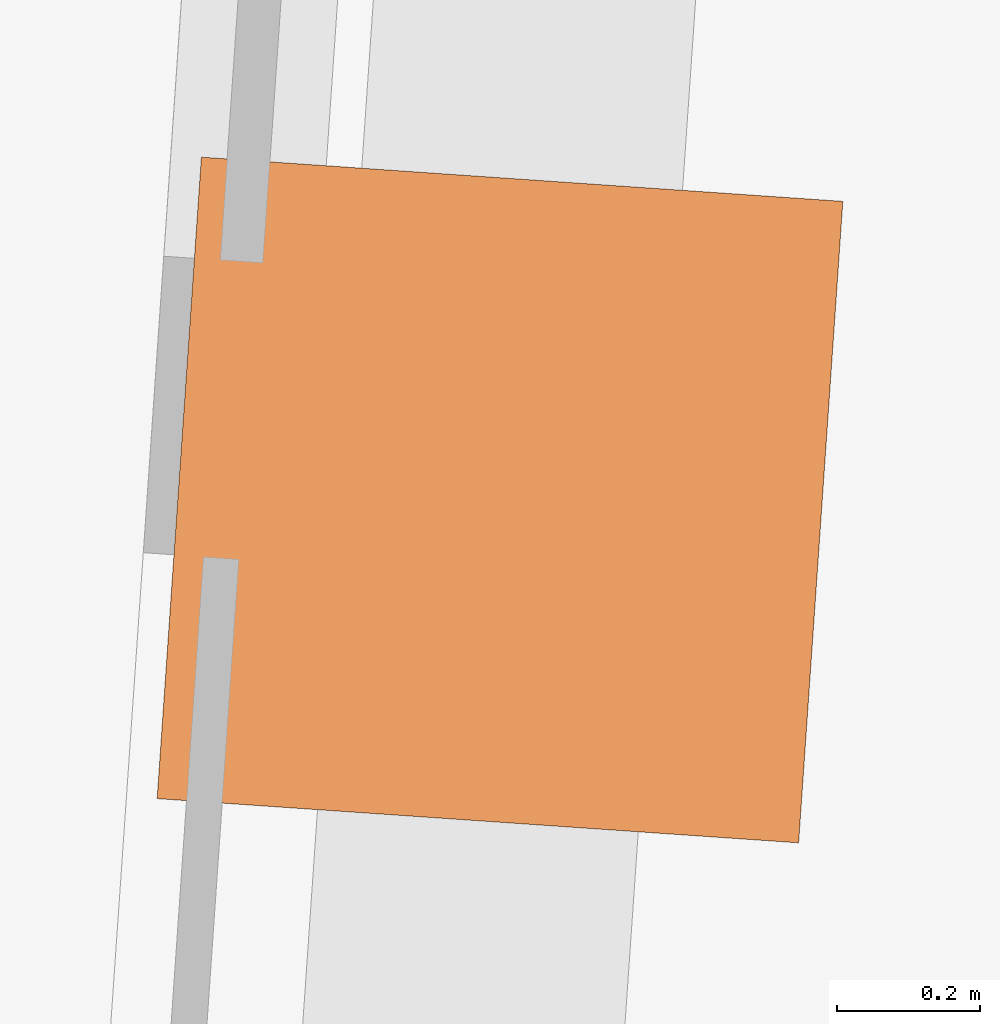
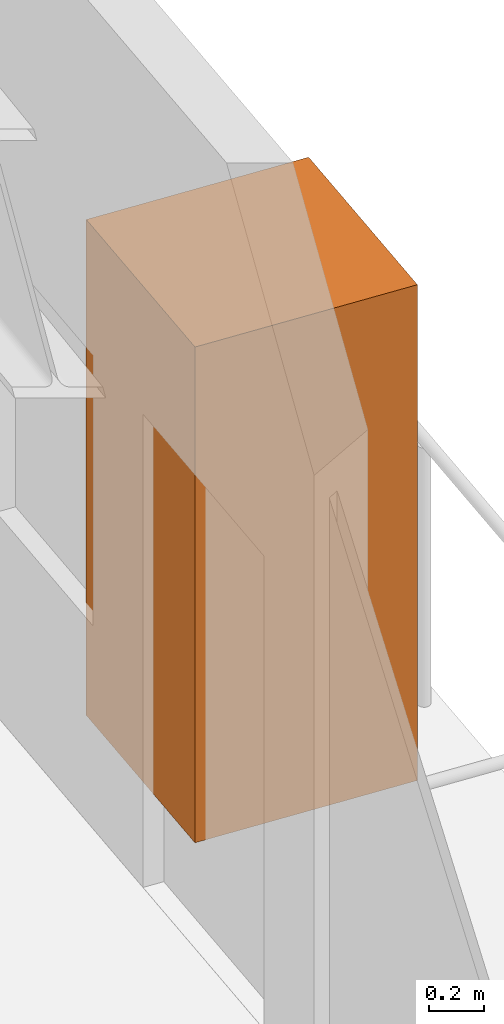
# One storey, part 10 of 10: 1 geographic element.
"""IFC4 building model written with IfcOpenShell, lengths in metres."""

import ifcopenshell
import ifcopenshell.guid

model = None  # the IFC model being written
_history = None  # IfcOwnerHistory: only IFC2X3 demands one
_inside = {}  # id of a spatial element -> (the spatial element, [elements in it])
_under = {}  # id of a project, library or spatial element -> (it, [spatial elements below it])
_declared = {}  # id of a project -> (the project, [libraries it declares])
_typed = {}  # id of a type object -> (the type object, [elements of that type])
_made_of = {}  # id of a material, layer set ... -> (it, [elements and type objects made of it])


def new_model(schema):
    """Start an empty IFC model of exactly this schema.

    Asked for "IFC4X3", IfcOpenShell would pick the latest addendum, in which some entities
    have other attributes; the version numbers below select the first issue.
    IFC2X3 requires an IfcOwnerHistory on every rooted entity: one is made here for all.
    """
    global model, _history
    if schema == "IFC4X3":
        model = ifcopenshell.file(schema_version=(4, 3, 0, 0))
    else:
        model = ifcopenshell.file(schema=schema)
    _inside.clear()
    _under.clear()
    _declared.clear()
    _typed.clear()
    _made_of.clear()
    _history = None
    if model.schema == "IFC2X3":
        org = make("IfcOrganization", Name="unknown")
        user = make(
            "IfcPersonAndOrganization",
            ThePerson=make("IfcPerson", FamilyName="unknown"),
            TheOrganization=org,
        )
        app = make(
            "IfcApplication",
            ApplicationDeveloper=org,
            Version="unknown",
            ApplicationFullName="unknown",
            ApplicationIdentifier="unknown",
        )
        _history = make(
            "IfcOwnerHistory",
            OwningUser=user,
            OwningApplication=app,
            ChangeAction="ADDED",
            CreationDate=0,
        )
    return model


def make(cls, **values):
    """One entity of the class cls with the attributes given. An attribute that is None is left unset."""
    return model.create_entity(
        cls, **{name: value for name, value in values.items() if value is not None}
    )


def rooted(cls, **values):
    """An entity with a GlobalId (a new one), such as an element, a storey or a relation."""
    return make(cls, GlobalId=ifcopenshell.guid.new(), OwnerHistory=_history, **values)


def si_unit(unit_type, name, prefix=None):
    """IfcSIUnit, for example si_unit("LENGTHUNIT", "METRE", prefix="MILLI")."""
    return make("IfcSIUnit", UnitType=unit_type, Prefix=prefix, Name=name)


def assignment(units):
    """IfcUnitAssignment: the units of a project."""
    return None if units is None else make("IfcUnitAssignment", Units=units)


def point(xyz):
    """IfcCartesianPoint."""
    return None if xyz is None else make("IfcCartesianPoint", Coordinates=xyz)


def direction(xyz):
    """IfcDirection."""
    return None if xyz is None else make("IfcDirection", DirectionRatios=xyz)


def frame(location, z_axis=None, x_axis=None):
    """IfcAxis2Placement3D, a coordinate frame: its origin and axes. An axis left out is left unset."""
    return make(
        "IfcAxis2Placement3D",
        Location=point(location),
        Axis=direction(z_axis),
        RefDirection=direction(x_axis),
    )


def frame_2d(location, x_axis=None):
    """IfcAxis2Placement2D, a coordinate frame in the plane: its origin and x axis."""
    return make(
        "IfcAxis2Placement2D", Location=point(location), RefDirection=direction(x_axis)
    )


def origin():
    """The frame at (0, 0, 0) with its axes left unset."""
    return frame((0.0, 0.0, 0.0))


def origin_2d():
    """The frame at (0, 0) in the plane with its x axis left unset."""
    return frame_2d((0.0, 0.0))


def place(relative_to, where):
    """IfcLocalPlacement: puts the frame where relative to a parent placement (None: the world)."""
    return make(
        "IfcLocalPlacement", PlacementRelTo=relative_to, RelativePlacement=where
    )


def context(
    kind, dimensions, precision=None, world=None, true_north=None, identifier=None
):
    """IfcGeometricRepresentationContext, for example the 3D "Model" context."""
    return make(
        "IfcGeometricRepresentationContext",
        ContextIdentifier=identifier,
        ContextType=kind,
        CoordinateSpaceDimension=dimensions,
        Precision=precision,
        WorldCoordinateSystem=world,
        TrueNorth=true_north,
    )


def subcontext(parent, identifier, kind, view, scale=None):
    """IfcGeometricRepresentationSubContext, for example "Body" below "Model"."""
    return make(
        "IfcGeometricRepresentationSubContext",
        ContextIdentifier=identifier,
        ContextType=kind,
        ParentContext=parent,
        TargetScale=scale,
        TargetView=view,
    )


def project(units=None, contexts=None):
    """IfcProject with its units and contexts."""
    return rooted(
        "IfcProject",
        Name="project",
        RepresentationContexts=contexts,
        UnitsInContext=assignment(units),
    )


def spatial(cls, under=None, at=None, **own):
    """A site, building, storey or space (cls), placed at a placement, below another one or the project."""
    s = rooted(cls, ObjectPlacement=at, **own)
    if under is not None:
        _under.setdefault(under.id(), (under, []))[1].append(s)
    return s


def profile(cls, at=None, kind="AREA", **sizes):
    """A parametric profile (cls). Its sizes go by their IFC names, for example OverallWidth=200.0."""
    return make(cls, ProfileType=kind, Position=at, **sizes)


def rectangle(**sizes):
    """IfcRectangleProfileDef."""
    return profile("IfcRectangleProfileDef", **sizes)


def extrude(swept, where, along, depth):
    """IfcExtrudedAreaSolid: the profile swept, set in the frame where, extruded along a direction by depth."""
    return make(
        "IfcExtrudedAreaSolid",
        SweptArea=swept,
        Position=where,
        ExtrudedDirection=direction(along),
        Depth=depth,
    )


def shape(context_of_items, identifier, shape_type, items):
    """IfcShapeRepresentation: the items that make up one representation, for example the "Body"."""
    return make(
        "IfcShapeRepresentation",
        ContextOfItems=context_of_items,
        RepresentationIdentifier=identifier,
        RepresentationType=shape_type,
        Items=items,
    )


def material(Name=None, Category=None):
    """IfcMaterial."""
    return make("IfcMaterial", Name=Name, Category=Category)


def made_of(thing, what):
    """Note that an element or type object is made of a material, layer set ...; save() writes the relation."""
    if what is not None:
        _made_of.setdefault(what.id(), (what, []))[1].append(thing)
    return thing


def type_object(cls, material=None, **own):
    """A type object (cls), such as IfcWallType, which elements share."""
    return made_of(rooted(cls, **own), material)


def element(
    cls,
    number,
    at=None,
    inside=None,
    cuts=None,
    type_object=None,
    material=None,
    context=None,
    identifier="Body",
    shape_type=None,
    held_by="IfcProductDefinitionShape",
    body=None,
    shapes=None,
    **own,
):
    """One element of the class cls, such as IfcWall. Its Tag is "e" and its number.

    at: its placement. inside: the storey or other place that contains it. cuts: it is an
    opening in that element (IfcRelVoidsElement). A single representation is given by context,
    identifier, shape_type and body (its items); several are given by shapes. held_by: the class
    of the entity that holds the representations. save() writes the other relations.
    """
    e = rooted(cls, Tag="e%d" % number, ObjectPlacement=at, **own)
    if body is not None:
        shapes = [shape(context, identifier, shape_type, body)]
    if shapes is not None:
        e.Representation = make(held_by, Representations=shapes)
    if inside is not None:
        _inside.setdefault(inside.id(), (inside, []))[1].append(e)
    if cuts is not None:
        rooted(
            "IfcRelVoidsElement", RelatingBuildingElement=cuts, RelatedOpeningElement=e
        )
    if type_object is not None:
        _typed.setdefault(type_object.id(), (type_object, []))[1].append(e)
    return made_of(e, material)


def aggregate(whole, parts):
    """IfcRelAggregates: a whole, such as a stair, and the parts it consists of."""
    return rooted("IfcRelAggregates", RelatingObject=whole, RelatedObjects=parts)


def save(model, path):
    """Write the relations noted so far, then the file.

    IfcRelAggregates (storeys below a building ...), IfcRelContainedInSpatialStructure (elements
    in a storey), IfcRelDefinesByType, IfcRelAssociatesMaterial and IfcRelDeclares: one each for
    every whole, place, type object, material and project.
    """
    for whole, parts in _under.values():
        aggregate(whole, parts)
    for where, things in _inside.values():
        rooted(
            "IfcRelContainedInSpatialStructure",
            RelatedElements=things,
            RelatingStructure=where,
        )
    for kind, things in _typed.values():
        rooted("IfcRelDefinesByType", RelatedObjects=things, RelatingType=kind)
    for what, things in _made_of.values():
        rooted("IfcRelAssociatesMaterial", RelatedObjects=things, RelatingMaterial=what)
    for by, libraries in _declared.values():
        rooted("IfcRelDeclares", RelatingContext=by, RelatedDefinitions=libraries)
    model.write(path)


model = new_model("IFC4")

# Units and contexts
model_context = context("Model", 3, precision=1e-05, world=origin(), true_north=direction((0.0, 1.0)))
body_context = subcontext(model_context, "Body", "Model", "MODEL_VIEW")
ifc_project = project(units=[si_unit("LENGTHUNIT", "METRE"), si_unit("AREAUNIT", "SQUARE_METRE"), si_unit("VOLUMEUNIT", "CUBIC_METRE"), si_unit("PLANEANGLEUNIT", "RADIAN"), si_unit("MASSUNIT", "GRAM", prefix="KILO")], contexts=[model_context])

# Site, building, storey
site_placement = place(None, origin())
site = spatial("IfcSite", under=ifc_project, at=site_placement, CompositionType="ELEMENT")
building_placement = place(site_placement, origin())
building = spatial("IfcBuilding", under=site, at=building_placement, Name="Verdant Reach Tower", CompositionType="ELEMENT")
storey_placement = place(building_placement, frame((0.0, 0.0, 222.0)))
storey = spatial("IfcBuildingStorey", under=building, at=storey_placement, Name="L51", CompositionType="ELEMENT", Elevation=222.0)

# Geographic element
ifc_material = material(Name="Planting")
geographic_element_type = type_object("IfcGeographicElementType", Name="EN-TREE", PredefinedType="USERDEFINED", material=ifc_material)
geographic_element_placement = place(storey_placement, frame((23.9560546875, 55.1982421875, 0.39990234375), z_axis=(0.0, 0.0, 1.0), x_axis=(0.068802091615, 0.997630328423, 0.0)))
element("IfcGeographicElement", 1, at=geographic_element_placement, inside=storey, type_object=geographic_element_type, Name="Balcony tree, Surinam cherry (Eugenia uniflora), L51 1", ObjectType="TREE", PredefinedType="USERDEFINED", context=body_context, shape_type="SweptSolid", body=[
    extrude(rectangle(XDim=0.89990234375, YDim=0.89990234375, at=origin_2d()), origin(), (0.0, 0.0, 1.0), 2.199951171875),
])

save(model, "model.ifc")
